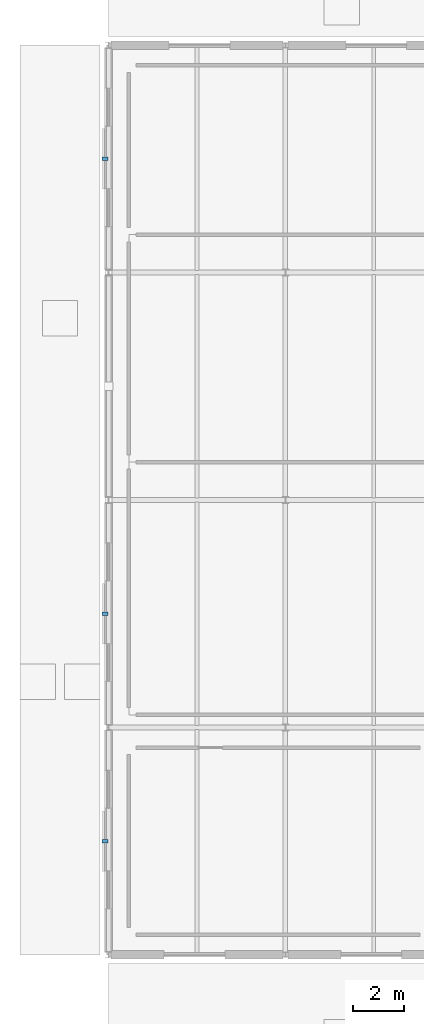
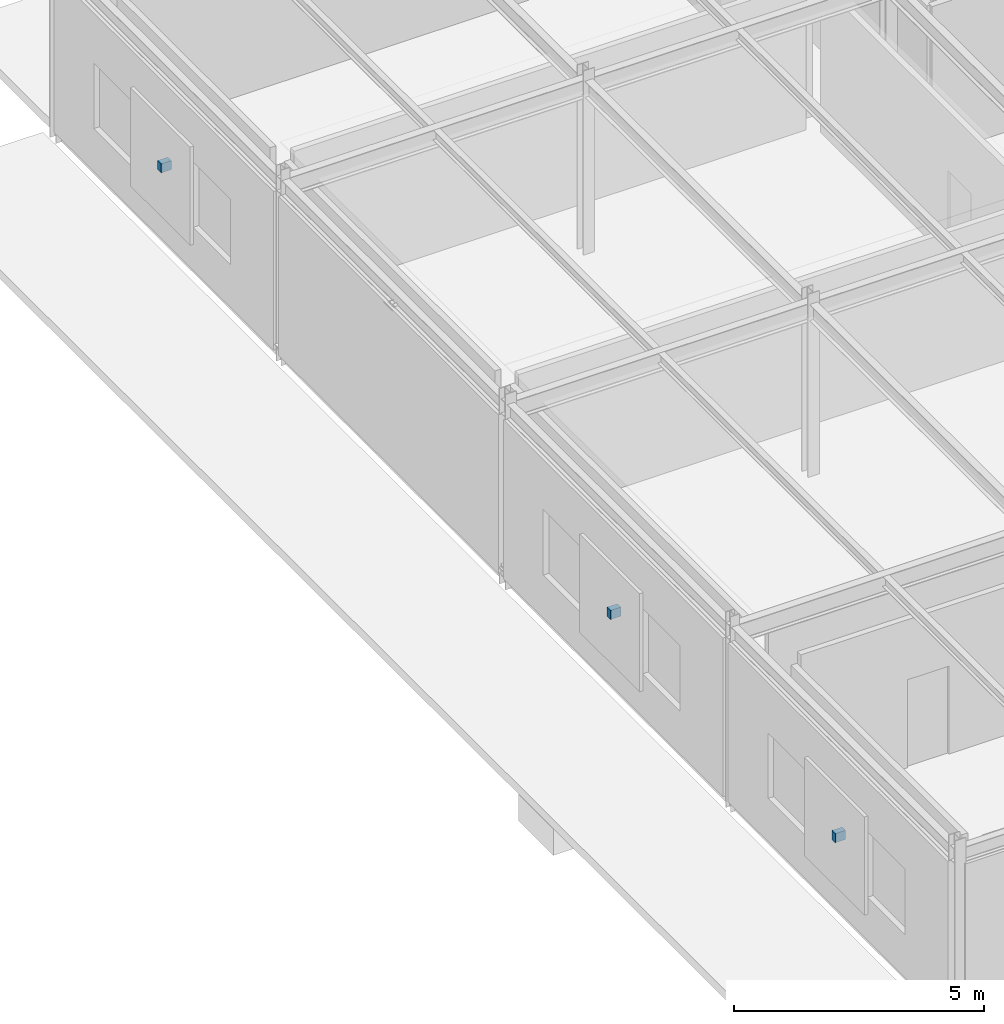
# One storey, part 100 of 119: 3 discrete accessories.
"""IFC4 building model written with IfcOpenShell, lengths in metres."""

from ifc_helpers import new_model, si_unit, derived_unit, direction, frame, origin, origin_2d_with_axis, place, context, subcontext, project, spatial, rectangle, extrude, material, type_object, element, save


model = new_model("IFC4")

# Units and contexts
model_context = context("Model", 3, precision=1e-05, world=origin(), true_north=direction((0.0, 1.0)))
body_context = subcontext(model_context, "Body", "Model", "MODEL_VIEW")
ifc_project = project(units=[si_unit("LENGTHUNIT", "METRE"), si_unit("AREAUNIT", "SQUARE_METRE"), si_unit("VOLUMEUNIT", "CUBIC_METRE"), si_unit("PLANEANGLEUNIT", "RADIAN"), si_unit("MASSUNIT", "GRAM", prefix="KILO"), derived_unit("THERMALTRANSMITTANCEUNIT", [(si_unit("POWERUNIT", "WATT"), 1), (si_unit("LENGTHUNIT", "METRE"), -2), (si_unit("THERMODYNAMICTEMPERATUREUNIT", "KELVIN"), -1)])], contexts=[model_context])

# Site, building, storey
site_placement = place(None, origin())
site = spatial("IfcSite", under=ifc_project, at=site_placement, CompositionType="ELEMENT")
building_placement = place(site_placement, origin())
building = spatial("IfcBuilding", under=site, at=building_placement, Name="Cinnabar Yard Market Hall", CompositionType="ELEMENT")
storey_placement = place(building_placement, origin())
storey = spatial("IfcBuildingStorey", under=building, at=storey_placement, Name="L00", CompositionType="ELEMENT", Elevation=0.0)

# Discrete accessories
ifc_material = material(Name="Galvanised steel Grade 350 (350 MPa)", Category="steel")
discrete_accessory_type = type_object("IfcDiscreteAccessoryType", Name="ACC-BRK1", PredefinedType="BRACKET", material=ifc_material)
for number, where, z_axis, x_axis, name in (
    (1, (9.860107421875, 52.5, 1.740234375), (0.0, 0.0, 1.0), (1.0, 0.0, 0.0), "Jali Bracket V2W-L00-1"),
    (2, (9.860107421875, 61.5, 1.740234375), (0.0, 0.0, 1.0), (1.0, 0.0, 0.0), "Jali Bracket V2W-L00-2"),
    (3, (9.860107421875, 79.5, 1.740234375), (0.0, 0.0, 1.0), (1.0, 0.0, 0.0), "Jali Bracket V2W-L00-4"),
):
    element("IfcDiscreteAccessory", number, at=place(storey_placement, frame(where, z_axis=z_axis, x_axis=x_axis)), inside=storey, type_object=discrete_accessory_type, Name=name, PredefinedType="BRACKET", context=body_context, shape_type="SweptSolid", body=[
        extrude(rectangle(XDim=0.239990234375, YDim=0.139892578125, at=origin_2d_with_axis()), origin(), (0.0, 0.0, 1.0), 0.219970703125),
    ])

save(model, "model.ifc")
